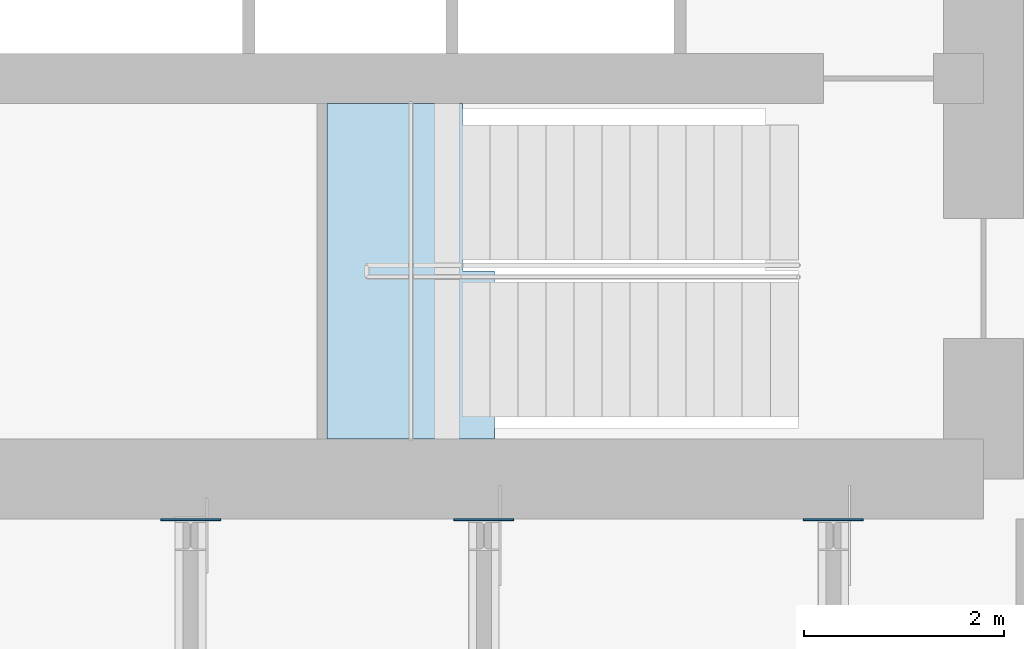
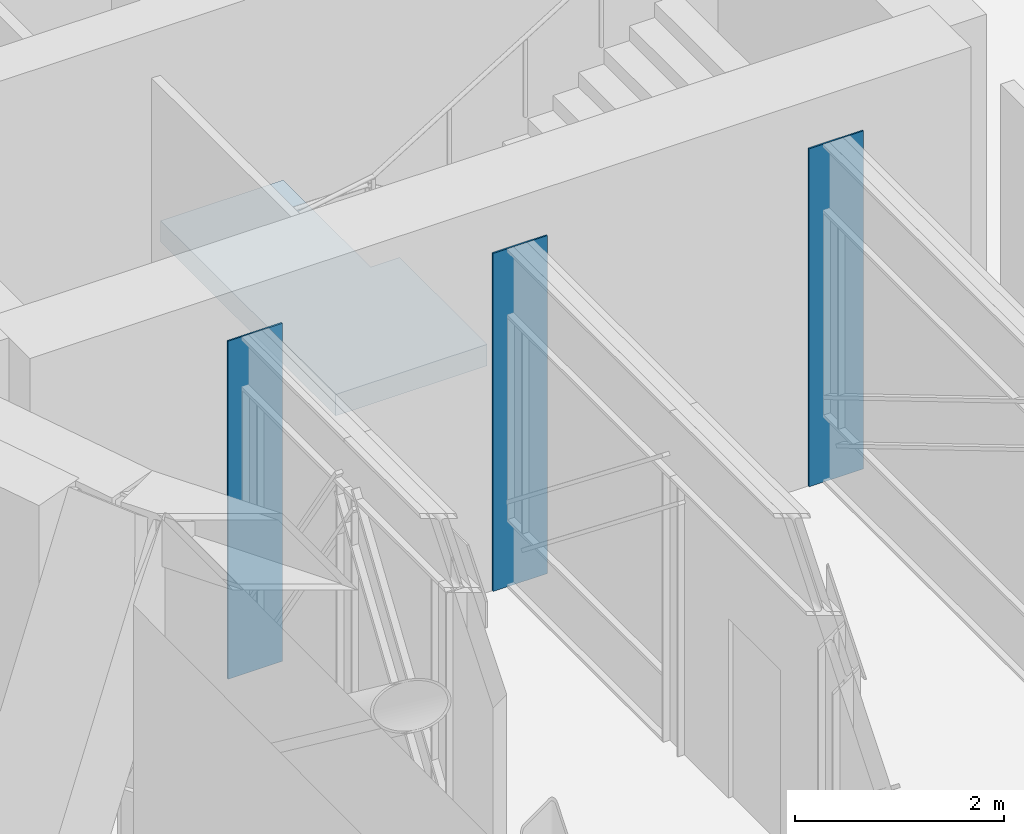
# One storey, part 6 of 19: 3 plates, 1 slab, 1 element without a shape of its own.
"""IFC4 building model written with IfcOpenShell, lengths in metres."""

import ifcopenshell
import ifcopenshell.guid

model = None  # the IFC model being written
_history = None  # IfcOwnerHistory: only IFC2X3 demands one
_inside = {}  # id of a spatial element -> (the spatial element, [elements in it])
_under = {}  # id of a project, library or spatial element -> (it, [spatial elements below it])
_declared = {}  # id of a project -> (the project, [libraries it declares])
_typed = {}  # id of a type object -> (the type object, [elements of that type])
_made_of = {}  # id of a material, layer set ... -> (it, [elements and type objects made of it])


def new_model(schema):
    """Start an empty IFC model of exactly this schema.

    Asked for "IFC4X3", IfcOpenShell would pick the latest addendum, in which some entities
    have other attributes; the version numbers below select the first issue.
    IFC2X3 requires an IfcOwnerHistory on every rooted entity: one is made here for all.
    """
    global model, _history
    if schema == "IFC4X3":
        model = ifcopenshell.file(schema_version=(4, 3, 0, 0))
    else:
        model = ifcopenshell.file(schema=schema)
    _inside.clear()
    _under.clear()
    _declared.clear()
    _typed.clear()
    _made_of.clear()
    _history = None
    if model.schema == "IFC2X3":
        org = make("IfcOrganization", Name="unknown")
        user = make(
            "IfcPersonAndOrganization",
            ThePerson=make("IfcPerson", FamilyName="unknown"),
            TheOrganization=org,
        )
        app = make(
            "IfcApplication",
            ApplicationDeveloper=org,
            Version="unknown",
            ApplicationFullName="unknown",
            ApplicationIdentifier="unknown",
        )
        _history = make(
            "IfcOwnerHistory",
            OwningUser=user,
            OwningApplication=app,
            ChangeAction="ADDED",
            CreationDate=0,
        )
    return model


def make(cls, **values):
    """One entity of the class cls with the attributes given. An attribute that is None is left unset."""
    return model.create_entity(
        cls, **{name: value for name, value in values.items() if value is not None}
    )


def rooted(cls, **values):
    """An entity with a GlobalId (a new one), such as an element, a storey or a relation."""
    return make(cls, GlobalId=ifcopenshell.guid.new(), OwnerHistory=_history, **values)


def si_unit(unit_type, name, prefix=None):
    """IfcSIUnit, for example si_unit("LENGTHUNIT", "METRE", prefix="MILLI")."""
    return make("IfcSIUnit", UnitType=unit_type, Prefix=prefix, Name=name)


def assignment(units):
    """IfcUnitAssignment: the units of a project."""
    return None if units is None else make("IfcUnitAssignment", Units=units)


def point(xyz):
    """IfcCartesianPoint."""
    return None if xyz is None else make("IfcCartesianPoint", Coordinates=xyz)


def direction(xyz):
    """IfcDirection."""
    return None if xyz is None else make("IfcDirection", DirectionRatios=xyz)


def frame(location, z_axis=None, x_axis=None):
    """IfcAxis2Placement3D, a coordinate frame: its origin and axes. An axis left out is left unset."""
    return make(
        "IfcAxis2Placement3D",
        Location=point(location),
        Axis=direction(z_axis),
        RefDirection=direction(x_axis),
    )


def origin():
    """The frame at (0, 0, 0) with its axes left unset."""
    return frame((0.0, 0.0, 0.0))


def place(relative_to, where):
    """IfcLocalPlacement: puts the frame where relative to a parent placement (None: the world)."""
    return make(
        "IfcLocalPlacement", PlacementRelTo=relative_to, RelativePlacement=where
    )


def context(
    kind, dimensions, precision=None, world=None, true_north=None, identifier=None
):
    """IfcGeometricRepresentationContext, for example the 3D "Model" context."""
    return make(
        "IfcGeometricRepresentationContext",
        ContextIdentifier=identifier,
        ContextType=kind,
        CoordinateSpaceDimension=dimensions,
        Precision=precision,
        WorldCoordinateSystem=world,
        TrueNorth=true_north,
    )


def subcontext(parent, identifier, kind, view, scale=None):
    """IfcGeometricRepresentationSubContext, for example "Body" below "Model"."""
    return make(
        "IfcGeometricRepresentationSubContext",
        ContextIdentifier=identifier,
        ContextType=kind,
        ParentContext=parent,
        TargetScale=scale,
        TargetView=view,
    )


def project(units=None, contexts=None):
    """IfcProject with its units and contexts."""
    return rooted(
        "IfcProject",
        Name="project",
        RepresentationContexts=contexts,
        UnitsInContext=assignment(units),
    )


def spatial(cls, under=None, at=None, **own):
    """A site, building, storey or space (cls), placed at a placement, below another one or the project."""
    s = rooted(cls, ObjectPlacement=at, **own)
    if under is not None:
        _under.setdefault(under.id(), (under, []))[1].append(s)
    return s


def polyline(points):
    """IfcPolyline through the points."""
    return make("IfcPolyline", Points=[point(p) for p in points])


def outline(outer, holes=None, kind="AREA"):
    """IfcArbitraryClosedProfileDef: a profile drawn as a closed curve; with holes, ...WithVoids."""
    if holes is None:
        return make("IfcArbitraryClosedProfileDef", ProfileType=kind, OuterCurve=outer)
    return make(
        "IfcArbitraryProfileDefWithVoids",
        ProfileType=kind,
        OuterCurve=outer,
        InnerCurves=holes,
    )


def extrude(swept, where, along, depth):
    """IfcExtrudedAreaSolid: the profile swept, set in the frame where, extruded along a direction by depth."""
    return make(
        "IfcExtrudedAreaSolid",
        SweptArea=swept,
        Position=where,
        ExtrudedDirection=direction(along),
        Depth=depth,
    )


def shape(context_of_items, identifier, shape_type, items):
    """IfcShapeRepresentation: the items that make up one representation, for example the "Body"."""
    return make(
        "IfcShapeRepresentation",
        ContextOfItems=context_of_items,
        RepresentationIdentifier=identifier,
        RepresentationType=shape_type,
        Items=items,
    )


def material(Name=None, Category=None):
    """IfcMaterial."""
    return make("IfcMaterial", Name=Name, Category=Category)


def layer(
    of_material, thickness, ventilated=None, Name=None, Category=None, Priority=None
):
    """IfcMaterialLayer: one layer of a wall or slab, of a material (None: an air gap)."""
    return make(
        "IfcMaterialLayer",
        Material=of_material,
        LayerThickness=thickness,
        IsVentilated=ventilated,
        Name=Name,
        Category=Category,
        Priority=Priority,
    )


def layer_set(layers, Name=None):
    """IfcMaterialLayerSet."""
    return make("IfcMaterialLayerSet", MaterialLayers=layers, LayerSetName=Name)


def made_of(thing, what):
    """Note that an element or type object is made of a material, layer set ...; save() writes the relation."""
    if what is not None:
        _made_of.setdefault(what.id(), (what, []))[1].append(thing)
    return thing


def type_object(cls, material=None, **own):
    """A type object (cls), such as IfcWallType, which elements share."""
    return made_of(rooted(cls, **own), material)


def element(
    cls,
    number,
    at=None,
    inside=None,
    cuts=None,
    type_object=None,
    material=None,
    context=None,
    identifier="Body",
    shape_type=None,
    held_by="IfcProductDefinitionShape",
    body=None,
    shapes=None,
    **own,
):
    """One element of the class cls, such as IfcWall. Its Tag is "e" and its number.

    at: its placement. inside: the storey or other place that contains it. cuts: it is an
    opening in that element (IfcRelVoidsElement). A single representation is given by context,
    identifier, shape_type and body (its items); several are given by shapes. held_by: the class
    of the entity that holds the representations. save() writes the other relations.
    """
    e = rooted(cls, Tag="e%d" % number, ObjectPlacement=at, **own)
    if body is not None:
        shapes = [shape(context, identifier, shape_type, body)]
    if shapes is not None:
        e.Representation = make(held_by, Representations=shapes)
    if inside is not None:
        _inside.setdefault(inside.id(), (inside, []))[1].append(e)
    if cuts is not None:
        rooted(
            "IfcRelVoidsElement", RelatingBuildingElement=cuts, RelatedOpeningElement=e
        )
    if type_object is not None:
        _typed.setdefault(type_object.id(), (type_object, []))[1].append(e)
    return made_of(e, material)


def aggregate(whole, parts):
    """IfcRelAggregates: a whole, such as a stair, and the parts it consists of."""
    return rooted("IfcRelAggregates", RelatingObject=whole, RelatedObjects=parts)


def save(model, path):
    """Write the relations noted so far, then the file.

    IfcRelAggregates (storeys below a building ...), IfcRelContainedInSpatialStructure (elements
    in a storey), IfcRelDefinesByType, IfcRelAssociatesMaterial and IfcRelDeclares: one each for
    every whole, place, type object, material and project.
    """
    for whole, parts in _under.values():
        aggregate(whole, parts)
    for where, things in _inside.values():
        rooted(
            "IfcRelContainedInSpatialStructure",
            RelatedElements=things,
            RelatingStructure=where,
        )
    for kind, things in _typed.values():
        rooted("IfcRelDefinesByType", RelatedObjects=things, RelatingType=kind)
    for what, things in _made_of.values():
        rooted("IfcRelAssociatesMaterial", RelatedObjects=things, RelatingMaterial=what)
    for by, libraries in _declared.values():
        rooted("IfcRelDeclares", RelatingContext=by, RelatedDefinitions=libraries)
    model.write(path)


model = new_model("IFC4")

# Units and contexts
model_context = context("Model", 3, precision=1e-05, world=origin(), true_north=direction((0.0, 1.0)))
body_context = subcontext(model_context, "Body", "Model", "MODEL_VIEW")
ifc_project = project(units=[si_unit("LENGTHUNIT", "METRE"), si_unit("AREAUNIT", "SQUARE_METRE"), si_unit("VOLUMEUNIT", "CUBIC_METRE"), si_unit("PLANEANGLEUNIT", "RADIAN"), si_unit("MASSUNIT", "GRAM", prefix="KILO")], contexts=[model_context])

# Site, building, storey
site_placement = place(None, origin())
site = spatial("IfcSite", under=ifc_project, at=site_placement, CompositionType="ELEMENT")
building_placement = place(site_placement, origin())
building = spatial("IfcBuilding", under=site, at=building_placement, Name="Saqina Gate Tower", CompositionType="ELEMENT")
storey_placement = place(building_placement, frame((0.0, 0.0, 82.39990234375)))
storey = spatial("IfcBuildingStorey", under=building, at=storey_placement, Name="L23", CompositionType="ELEMENT", Elevation=82.39990234375)

# Stair, slab
ifc_material_1 = material(Name="Concrete C40/50", Category="concrete")
stair_type = type_object("IfcStairType", Name="EXIT STAIR", PredefinedType="HALF_TURN_STAIR", material=ifc_material_1)
stair_placement = place(storey_placement, origin())
stair = element("IfcStair", 1, at=stair_placement, inside=storey, type_object=stair_type, Name="EXIT STAIR 4", PredefinedType="HALF_TURN_STAIR")
ifc_material_2 = material(Name="Concrete C40/50", Category="concrete")
ifc_layer_1 = layer(ifc_material_2, 0.25)
ifc_layer_set_1 = layer_set([ifc_layer_1], Name="Concrete C40/50")
slab_type = type_object("IfcSlabType", Name="EXIT STAIR LANDING", PredefinedType="LANDING", material=ifc_layer_set_1)
slab_placement = place(storey_placement, frame((0.0, 0.0, 2.0)))
slab = element("IfcSlab", 2, at=slab_placement, type_object=slab_type, Name="EXIT STAIR 4 LANDING 1", PredefinedType="LANDING", context=body_context, shape_type="SweptSolid", body=[
    extrude(outline(polyline([(-18.384765625, -6.925048828125), (-18.384765625, -8.60009765625), (-18.705078125, -8.60009765625), (-18.7099609375, -8.60009765625), (-20.06005859375, -8.60009765625), (-20.06005859375, -5.25), (-18.705078125, -5.25), (-18.705078125, -6.925048828125), (-18.384765625, -6.925048828125)])), origin(), (0.0, 0.0, 1.0), 0.25),
])
aggregate(stair, [slab])

# Plates
ifc_material_3 = material(Name="Steel S460", Category="steel")
ifc_layer_2 = layer(ifc_material_3, 0.01806640625)
ifc_layer_set_2 = layer_set([ifc_layer_2], Name="Steel S460")
plate_type = type_object("IfcPlateType", Name="STR-EMBED PLATE", PredefinedType="USERDEFINED", material=ifc_layer_set_2)
plate_1_placement = place(storey_placement, origin())
element("IfcPlate", 3, at=plate_1_placement, inside=storey, type_object=plate_type, Name="EMBED PLATE L23 04", ObjectType="EMBED PLATE", PredefinedType="USERDEFINED", context=body_context, shape_type="SweptSolid", body=[
    extrude(outline(polyline([(-21.720947265625, -9.41796875), (-21.120849609375, -9.41796875), (-21.120849609375, -9.39990234375), (-21.720947265625, -9.39990234375), (-21.720947265625, -9.41796875)])), origin(), (0.0, 0.0, 1.0), 3.9501953125),
])
plate_2_placement = place(storey_placement, origin())
element("IfcPlate", 4, at=plate_2_placement, inside=storey, type_object=plate_type, Name="EMBED PLATE L23 08", ObjectType="EMBED PLATE", PredefinedType="USERDEFINED", context=body_context, shape_type="SweptSolid", body=[
    extrude(outline(polyline([(-18.790771484375, -9.41796875), (-18.19091796875, -9.41796875), (-18.19091796875, -9.39990234375), (-18.790771484375, -9.39990234375), (-18.790771484375, -9.41796875)])), origin(), (0.0, 0.0, 1.0), 3.9501953125),
])
plate_3_placement = place(storey_placement, origin())
element("IfcPlate", 5, at=plate_3_placement, inside=storey, type_object=plate_type, Name="EMBED PLATE L23 12", ObjectType="EMBED PLATE", PredefinedType="USERDEFINED", context=body_context, shape_type="SweptSolid", body=[
    extrude(outline(polyline([(-15.299072265625, -9.41796875), (-14.698974609375, -9.41796875), (-14.698974609375, -9.39990234375), (-15.299072265625, -9.39990234375), (-15.299072265625, -9.41796875)])), origin(), (0.0, 0.0, 1.0), 3.9501953125),
])

save(model, "model.ifc")
